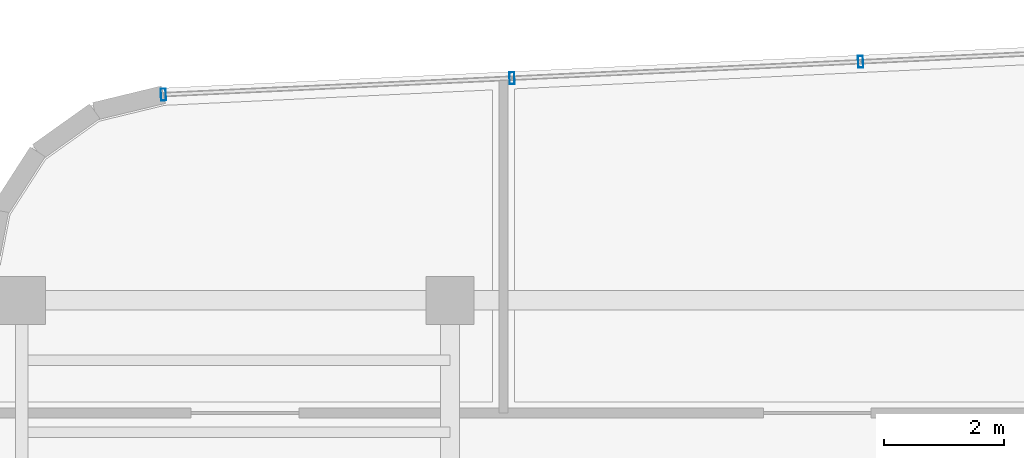
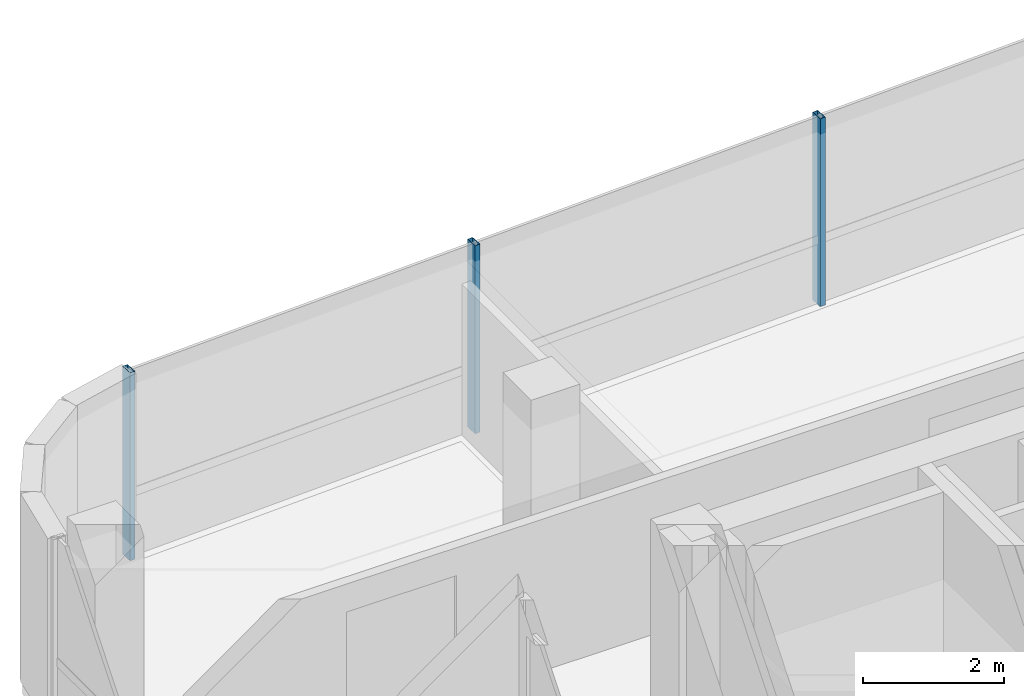
# One storey, part 10 of 18: 3 members, 1 element without a shape of its own.
"""IFC4 building model written with IfcOpenShell, lengths in metres."""

from ifc_helpers import new_model, si_unit, direction, frame, origin, origin_2d, place, context, subcontext, project, spatial, hollow_rectangle, extrude, source, transform, mapped, material, material_profile, profile_set, type_object, element, aggregate, save


model = new_model("IFC4")

# Units and contexts
model_context = context("Model", 3, precision=1e-05, world=origin(), true_north=direction((0.0, 1.0)))
body_context = subcontext(model_context, "Body", "Model", "MODEL_VIEW")
ifc_project = project(units=[si_unit("LENGTHUNIT", "METRE"), si_unit("AREAUNIT", "SQUARE_METRE"), si_unit("VOLUMEUNIT", "CUBIC_METRE"), si_unit("PLANEANGLEUNIT", "RADIAN"), si_unit("MASSUNIT", "GRAM", prefix="KILO")], contexts=[model_context])

# Site, building, storey
site_placement = place(None, origin())
site = spatial("IfcSite", under=ifc_project, at=site_placement, CompositionType="ELEMENT")
building_placement = place(site_placement, origin())
building = spatial("IfcBuilding", under=site, at=building_placement, Name="Valdorenza Pilgrim Sanctuary Tower", CompositionType="ELEMENT")
storey_placement = place(building_placement, frame((0.0, 0.0, 273.0)))
storey = spatial("IfcBuildingStorey", under=building, at=storey_placement, Name="L71", CompositionType="ELEMENT", Elevation=273.0)

# Curtain wall, members
ifc_material_1 = material(Name="Curtain-wall IGU glazing", Category="glass")
curtain_wall_type = type_object("IfcCurtainWallType", Name="CW-SYS-02", PredefinedType="NOTDEFINED", material=ifc_material_1)
curtain_wall_placement = place(storey_placement, origin())
curtain_wall = element("IfcCurtainWall", 1, at=curtain_wall_placement, inside=storey, type_object=curtain_wall_type, Name="L71 Curtain Wall CW-L71-1-6", PredefinedType="NOTDEFINED")
ifc_material_2 = material(Name="Anodised aluminium AW-6060", Category="aluminium")
ifc_material_profile = material_profile(ifc_material_2, hollow_rectangle(XDim=0.0849609375, YDim=0.199951171875, WallThickness=0.0048828125, at=origin_2d()), Name="ALU-M 200x85x5")
ifc_profile_set = profile_set([ifc_material_profile], Name="Anodised aluminium AW-6060")
member_type = type_object("IfcMemberType", Name="CW-MUL-02", PredefinedType="MULLION", material=ifc_profile_set)
shared_shape = source(origin(), body_context, "Body", "SweptSolid", [
    extrude(hollow_rectangle(XDim=0.0849609375, YDim=0.199951171875, WallThickness=0.0048828125, at=origin_2d()), origin(), (0.0, 0.0, 1.0), 3.260009765625),
])
member_1_placement = place(storey_placement, frame((-27.43505859375, 18.234375, 0.0), z_axis=(0.0, 0.0, 1.0), x_axis=(0.998890696972, 0.047089016785, 0.0)))
member_1 = element("IfcMember", 2, at=member_1_placement, type_object=member_type, Name="CW-L71-1-6 Mullion 1", PredefinedType="MULLION", context=body_context, shape_type="MappedRepresentation", body=[
    mapped(shared_shape, transform((0.0, 0.0, 0.0), x_axis=(1.0, 0.0, 0.0), y_axis=(0.0, 1.0, 0.0), z_axis=(0.0, 0.0, 1.0), scale=1.0)),
])
member_2_placement = place(storey_placement, frame((-21.615478515625, 18.5087890625, 0.0), z_axis=(0.0, 0.0, 1.0), x_axis=(0.998890696972, 0.047089016785, 0.0)))
member_2 = element("IfcMember", 3, at=member_2_placement, type_object=member_type, Name="CW-L71-1-6 Mullion 2", PredefinedType="MULLION", context=body_context, shape_type="MappedRepresentation", body=[
    mapped(shared_shape, transform((0.0, 0.0, 0.0), x_axis=(1.0, 0.0, 0.0), y_axis=(0.0, 1.0, 0.0), z_axis=(0.0, 0.0, 1.0), scale=1.0)),
])
member_3_placement = place(storey_placement, frame((-15.7958984375, 18.782958984375, 0.0), z_axis=(0.0, 0.0, 1.0), x_axis=(0.998890696972, 0.047089016785, 0.0)))
member_3 = element("IfcMember", 4, at=member_3_placement, type_object=member_type, Name="CW-L71-1-6 Mullion 3", PredefinedType="MULLION", context=body_context, shape_type="MappedRepresentation", body=[
    mapped(shared_shape, transform((0.0, 0.0, 0.0), x_axis=(1.0, 0.0, 0.0), y_axis=(0.0, 1.0, 0.0), z_axis=(0.0, 0.0, 1.0), scale=1.0)),
])
aggregate(curtain_wall, [member_1, member_2, member_3])

save(model, "model.ifc")
